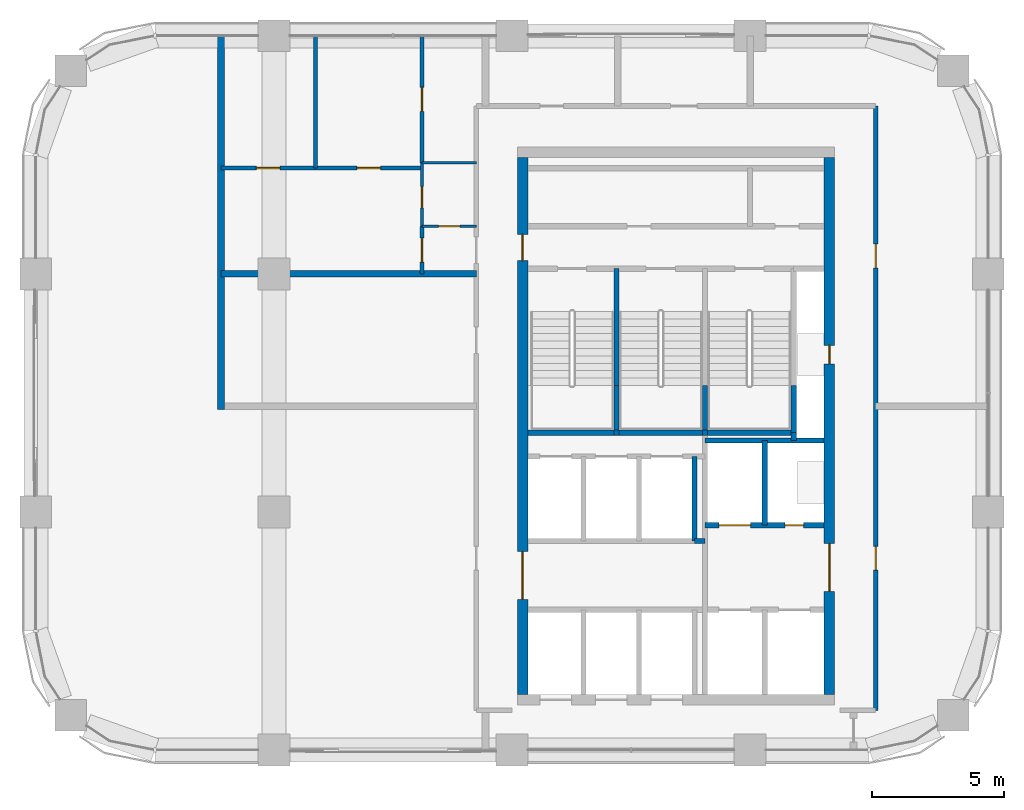
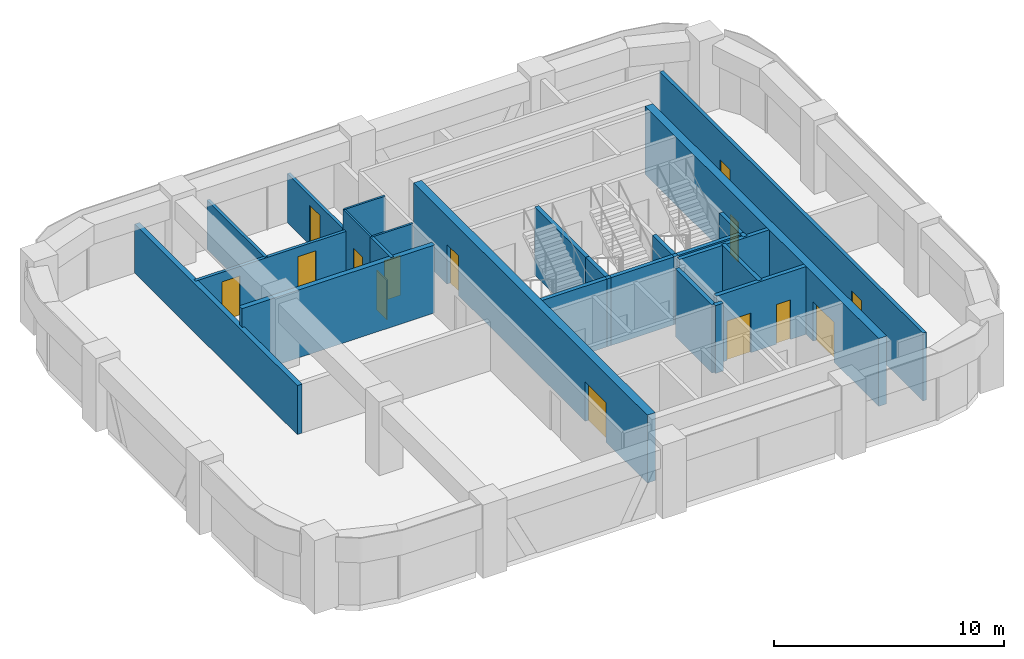
# One storey, part 8 of 10: 27 walls, 14 doors, 14 openings.
"""IFC4 building model written with IfcOpenShell, lengths in metres."""

from ifc_helpers import new_model, si_unit, direction, frame, frame_2d, origin, place, context, subcontext, project, spatial, rectangle, extrude, material, layer, layer_set, type_object, element, fill, save


model = new_model("IFC4")

# Units and contexts
model_context = context("Model", 3, precision=1e-05, world=origin(), true_north=direction((0.0, 1.0)))
body_context = subcontext(model_context, "Body", "Model", "MODEL_VIEW")
ifc_project = project(units=[si_unit("LENGTHUNIT", "METRE"), si_unit("AREAUNIT", "SQUARE_METRE"), si_unit("VOLUMEUNIT", "CUBIC_METRE"), si_unit("PLANEANGLEUNIT", "RADIAN"), si_unit("MASSUNIT", "GRAM", prefix="KILO")], contexts=[model_context])

# Site, building, storey
site_placement = place(None, origin())
site = spatial("IfcSite", under=ifc_project, at=site_placement, CompositionType="ELEMENT")
building_placement = place(site_placement, origin())
building = spatial("IfcBuilding", under=site, at=building_placement, Name="Tessera Arch", CompositionType="ELEMENT")
storey_placement = place(building_placement, frame((0.0, 0.0, 261.800048828125)))
storey = spatial("IfcBuildingStorey", under=building, at=storey_placement, Name="L63", CompositionType="ELEMENT", Elevation=261.800048828125)

# Wall
ifc_material_1 = material(Name="Gypsum board on steel stud", Category="steel")
ifc_layer_1 = layer(ifc_material_1, 0.125)
ifc_layer_set_1 = layer_set([ifc_layer_1], Name="Core partition 125 EI 60")
wall_type_1 = type_object("IfcWallType", Name="Core partition 125 EI 60", PredefinedType="PARTITIONING", material=ifc_layer_set_1)
wall_1_placement = place(storey_placement, frame((42.89990234375, 34.89990234375, 0.0), z_axis=(0.0, 0.0, 1.0), x_axis=(1.0, 0.0, 0.0)))
element("IfcWall", 1, at=wall_1_placement, inside=storey, type_object=wall_type_1, Name="L63 C1 partition wall 19", PredefinedType="PARTITIONING", context=body_context, shape_type="SweptSolid", body=[
    extrude(rectangle(XDim=0.400146484375, YDim=0.199951171875, at=frame_2d((0.2001953125, 0.0))), origin(), (0.0, 0.0, 1.0), 3.599853515625),
])

# Wall, openings, doors
ifc_material_2 = material(Name="Concrete C50/60", Category="concrete")
ifc_layer_2 = layer(ifc_material_2, 0.39990234375)
ifc_layer_set_2 = layer_set([ifc_layer_2], Name="Core shell wall 400 C50-60")
wall_type_2 = type_object("IfcWallType", Name="Core shell wall 400 C50-60", PredefinedType="SHEAR", material=ifc_layer_set_2)
wall_2_placement = place(storey_placement, frame((36.39990234375, 29.10009765625, 0.0), z_axis=(0.0, 0.0, 1.0), x_axis=(0.0, 1.0, 0.0)))
wall_2 = element("IfcWall", 2, at=wall_2_placement, inside=storey, type_object=wall_type_2, Name="L63 C1 core wall W", PredefinedType="SHEAR", context=body_context, shape_type="SweptSolid", body=[
    extrude(rectangle(XDim=20.2998046875, YDim=0.39990234375, at=frame_2d((10.14990234375, 0.0))), origin(), (0.0, 0.0, 1.0), 3.599853515625),
])
opening_1_placement = place(wall_2_placement, frame((3.60009765625, 0.0, 0.0)))
opening_1 = element("IfcOpeningElement", 3, at=opening_1_placement, cuts=wall_2, Name="Opening L63-C10", PredefinedType="OPENING", context=body_context, shape_type="SweptSolid", body=[
    extrude(rectangle(XDim=1.800048828125, YDim=2.10009765625, at=frame_2d((0.89990234375, 1.050048828125))), frame((0.0, 0.2099609375, 0.0), z_axis=(0.0, -1.0, 0.0), x_axis=(1.0, 0.0, 0.0)), (0.0, 0.0, 1.0), 0.419921875),
])
opening_2_placement = place(wall_2_placement, frame((16.39990234375, 0.0, 0.0)))
opening_2 = element("IfcOpeningElement", 4, at=opening_2_placement, cuts=wall_2, Name="Opening L63-C17", PredefinedType="OPENING", context=body_context, shape_type="SweptSolid", body=[
    extrude(rectangle(XDim=1.0, YDim=2.10009765625, at=frame_2d((0.5, 1.050048828125))), frame((0.0, 0.2099609375, 0.0), z_axis=(0.0, -1.0, 0.0), x_axis=(1.0, 0.0, 0.0)), (0.0, 0.0, 1.0), 0.419921875),
])
ifc_material_3 = material(Name="Steel door leaf", Category="steel")
door_type_1 = type_object("IfcDoorType", Name="Corridor door FD60 1000 x 2100", OperationType="SINGLE_SWING_LEFT", PredefinedType="DOOR", material=ifc_material_3)
door_1_placement = place(opening_2_placement, origin())
door_1 = element("IfcDoor", 5, at=door_1_placement, inside=storey, type_object=door_type_1, Name="L63 C1 door 17 C17 type D12", OperationType="SINGLE_SWING_RIGHT", OverallHeight=2.10009765625, OverallWidth=1.0, PredefinedType="DOOR", context=body_context, shape_type="SweptSolid", body=[
    extrude(rectangle(XDim=1.0, YDim=2.10009765625, at=frame_2d((0.5, 1.050048828125))), frame((0.0, 0.02490234375, 0.0), z_axis=(0.0, -1.0, 0.0), x_axis=(1.0, 0.0, 0.0)), (0.0, 0.0, 1.0), 0.050048828125),
])
fill(opening_2, door_1)
ifc_material_4 = material(Name="Glazed steel door leaf", Category="steel")
door_type_2 = type_object("IfcDoorType", Name="Lobby double door FD30S 1800 x 2100", OperationType="DOUBLE_DOOR_SINGLE_SWING", PredefinedType="DOOR", material=ifc_material_4)
door_2_placement = place(opening_1_placement, origin())
door_2 = element("IfcDoor", 6, at=door_2_placement, inside=storey, type_object=door_type_2, Name="L63 C1 door 10 C10 type D06", OperationType="DOUBLE_DOOR_SINGLE_SWING", OverallHeight=2.10009765625, OverallWidth=1.800048828125, PredefinedType="DOOR", context=body_context, shape_type="SweptSolid", body=[
    extrude(rectangle(XDim=1.800048828125, YDim=2.10009765625, at=frame_2d((0.89990234375, 1.050048828125))), frame((0.0, 0.02490234375, 0.0), z_axis=(0.0, -1.0, 0.0), x_axis=(1.0, 0.0, 0.0)), (0.0, 0.0, 1.0), 0.050048828125),
])
fill(opening_1, door_2)

wall_3_placement = place(storey_placement, frame((48.0, 29.10009765625, 0.0), z_axis=(0.0, 0.0, 1.0), x_axis=(0.0, 1.0, 0.0)))
wall_3 = element("IfcWall", 7, at=wall_3_placement, inside=storey, type_object=wall_type_2, Name="L63 C1 core wall E", PredefinedType="SHEAR", context=body_context, shape_type="SweptSolid", body=[
    extrude(rectangle(XDim=20.2998046875, YDim=0.39990234375, at=frame_2d((10.14990234375, 0.0))), origin(), (0.0, 0.0, 1.0), 3.599853515625),
])
opening_3_placement = place(wall_3_placement, frame((12.5, 0.0, 0.0)))
opening_3 = element("IfcOpeningElement", 8, at=opening_3_placement, cuts=wall_3, Name="Opening L63-C14", PredefinedType="OPENING", context=body_context, shape_type="SweptSolid", body=[
    extrude(rectangle(XDim=0.699951171875, YDim=2.10009765625, at=frame_2d((0.35009765625, 1.050048828125))), frame((0.0, 0.2099609375, 0.0), z_axis=(0.0, -1.0, 0.0), x_axis=(1.0, 0.0, 0.0)), (0.0, 0.0, 1.0), 0.419921875),
])
opening_4_placement = place(wall_3_placement, frame((3.89990234375, 0.0, 0.0)))
opening_4 = element("IfcOpeningElement", 9, at=opening_4_placement, cuts=wall_3, Name="Opening L63-C15", PredefinedType="OPENING", context=body_context, shape_type="SweptSolid", body=[
    extrude(rectangle(XDim=1.800048828125, YDim=2.10009765625, at=frame_2d((0.89990234375, 1.050048828125))), frame((0.0, 0.2099609375, 0.0), z_axis=(0.0, -1.0, 0.0), x_axis=(1.0, 0.0, 0.0)), (0.0, 0.0, 1.0), 0.419921875),
])
ifc_material_5 = material(Name="Glazed steel door leaf", Category="steel")
door_type_3 = type_object("IfcDoorType", Name="Lobby double door FD60 1800 x 2100", OperationType="DOUBLE_DOOR_SINGLE_SWING", PredefinedType="DOOR", material=ifc_material_5)
door_3_placement = place(opening_4_placement, origin())
door_3 = element("IfcDoor", 10, at=door_3_placement, inside=storey, type_object=door_type_3, Name="L63 C1 door 15 C15 type D19", OperationType="DOUBLE_DOOR_SINGLE_SWING", OverallHeight=2.10009765625, OverallWidth=1.800048828125, PredefinedType="DOOR", context=body_context, shape_type="SweptSolid", body=[
    extrude(rectangle(XDim=1.800048828125, YDim=2.10009765625, at=frame_2d((0.89990234375, 1.050048828125))), frame((0.0, 0.02490234375, 0.0), z_axis=(0.0, -1.0, 0.0), x_axis=(1.0, 0.0, 0.0)), (0.0, 0.0, 1.0), 0.050048828125),
])
fill(opening_4, door_3)
ifc_material_6 = material(Name="Steel door leaf", Category="steel")
door_type_4 = type_object("IfcDoorType", Name="Service shaft door FD60 700 x 2100", OperationType="SINGLE_SWING_LEFT", PredefinedType="DOOR", material=ifc_material_6)
door_4_placement = place(opening_3_placement, origin())
door_4 = element("IfcDoor", 11, at=door_4_placement, inside=storey, type_object=door_type_4, Name="L63 C1 door 14 C14 type D07", OperationType="SINGLE_SWING_RIGHT", OverallHeight=2.10009765625, OverallWidth=0.699951171875, PredefinedType="DOOR", context=body_context, shape_type="SweptSolid", body=[
    extrude(rectangle(XDim=0.699951171875, YDim=2.10009765625, at=frame_2d((0.35009765625, 1.050048828125))), frame((0.0, 0.02490234375, 0.0), z_axis=(0.0, -1.0, 0.0), x_axis=(1.0, 0.0, 0.0)), (0.0, 0.0, 1.0), 0.050048828125),
])
fill(opening_3, door_4)

ifc_material_7 = material(Name="Gypsum board on deep steel stud with mineral wool", Category="steel")
ifc_layer_3 = layer(ifc_material_7, 0.175048828125)
ifc_layer_set_3 = layer_set([ifc_layer_3], Name="Corridor wall 175 EI 60")
wall_type_3 = type_object("IfcWallType", Name="Corridor wall 175 EI 60", PredefinedType="PARTITIONING", material=ifc_layer_set_3)
wall_4_placement = place(storey_placement, frame((49.75, 28.5, 0.0), z_axis=(0.0, 0.0, 1.0), x_axis=(0.0, 1.0, 0.0)))
wall_4 = element("IfcWall", 12, at=wall_4_placement, inside=storey, type_object=wall_type_3, Name="L63 partition 5", PredefinedType="PARTITIONING", context=body_context, shape_type="SweptSolid", body=[
    extrude(rectangle(XDim=22.85009765625, YDim=0.175048828125, at=frame_2d((11.425048828125, 0.0))), origin(), (0.0, 0.0, 1.0), 3.599853515625),
])
opening_5_placement = place(wall_4_placement, frame((5.300048828125, 0.0, 0.0)))
opening_5 = element("IfcOpeningElement", 13, at=opening_5_placement, cuts=wall_4, Name="Opening L63-D001", PredefinedType="OPENING", context=body_context, shape_type="SweptSolid", body=[
    extrude(rectangle(XDim=0.89990234375, YDim=2.10009765625, at=frame_2d((0.449951171875, 1.050048828125))), frame((0.0, 0.097412109375, 0.0), z_axis=(0.0, -1.0, 0.0), x_axis=(1.0, 0.0, 0.0)), (0.0, 0.0, 1.0), 0.195068359375),
])
opening_6_placement = place(wall_4_placement, frame((16.72509765625, 0.0, 0.0)))
opening_6 = element("IfcOpeningElement", 14, at=opening_6_placement, cuts=wall_4, Name="Opening L63-D004", PredefinedType="OPENING", context=body_context, shape_type="SweptSolid", body=[
    extrude(rectangle(XDim=0.89990234375, YDim=2.10009765625, at=frame_2d((0.449951171875, 1.050048828125))), frame((0.0, 0.097412109375, 0.0), z_axis=(0.0, -1.0, 0.0), x_axis=(1.0, 0.0, 0.0)), (0.0, 0.0, 1.0), 0.195068359375),
])
ifc_material_8 = material(Name="Timber door leaf", Category="wood")
door_type_5 = type_object("IfcDoorType", Name="Room door 900 x 2100", OperationType="SINGLE_SWING_LEFT", PredefinedType="DOOR", material=ifc_material_8)
door_5_placement = place(opening_5_placement, origin())
door_5 = element("IfcDoor", 15, at=door_5_placement, inside=storey, type_object=door_type_5, Name="L63 door D001 type D01", OperationType="SINGLE_SWING_LEFT", OverallHeight=2.10009765625, OverallWidth=0.89990234375, PredefinedType="DOOR", context=body_context, shape_type="SweptSolid", body=[
    extrude(rectangle(XDim=0.89990234375, YDim=2.10009765625, at=frame_2d((0.449951171875, 1.050048828125))), frame((0.0, 0.02490234375, 0.0), z_axis=(0.0, -1.0, 0.0), x_axis=(1.0, 0.0, 0.0)), (0.0, 0.0, 1.0), 0.050048828125),
])
fill(opening_5, door_5)
door_6_placement = place(opening_6_placement, origin())
door_6 = element("IfcDoor", 16, at=door_6_placement, inside=storey, type_object=door_type_5, Name="L63 door D004 type D01", OperationType="SINGLE_SWING_RIGHT", OverallHeight=2.10009765625, OverallWidth=0.89990234375, PredefinedType="DOOR", context=body_context, shape_type="SweptSolid", body=[
    extrude(rectangle(XDim=0.89990234375, YDim=2.10009765625, at=frame_2d((0.449951171875, 1.050048828125))), frame((0.0, 0.02490234375, 0.0), z_axis=(0.0, -1.0, 0.0), x_axis=(1.0, 0.0, 0.0)), (0.0, 0.0, 1.0), 0.050048828125),
])
fill(opening_6, door_6)

ifc_material_9 = material(Name="Gypsum board on steel stud", Category="steel")
ifc_layer_4 = layer(ifc_material_9, 0.14990234375)
ifc_layer_set_4 = layer_set([ifc_layer_4], Name="Partition 150")
wall_type_4 = type_object("IfcWallType", Name="Partition 150", PredefinedType="PARTITIONING", material=ifc_layer_set_4)
wall_5_placement = place(storey_placement, frame((25.0, 49.0, 0.0), z_axis=(0.0, 0.0, 1.0), x_axis=(1.0, 0.0, 0.0)))
wall_5 = element("IfcWall", 17, at=wall_5_placement, inside=storey, type_object=wall_type_4, Name="L63 partition 6", PredefinedType="PARTITIONING", context=body_context, shape_type="SweptSolid", body=[
    extrude(rectangle(XDim=7.60009765625, YDim=0.14990234375, at=frame_2d((3.800048828125, 0.0))), origin(), (0.0, 0.0, 1.0), 2.599853515625),
])
opening_7_placement = place(wall_5_placement, frame((5.135986328125, 0.0, 0.0)))
opening_7 = element("IfcOpeningElement", 18, at=opening_7_placement, cuts=wall_5, Name="Opening L63-D010", PredefinedType="OPENING", context=body_context, shape_type="SweptSolid", body=[
    extrude(rectangle(XDim=0.89990234375, YDim=2.10009765625, at=frame_2d((0.449951171875, 1.050048828125))), frame((0.0, 0.0849609375, 0.0), z_axis=(0.0, -1.0, 0.0), x_axis=(1.0, 0.0, 0.0)), (0.0, 0.0, 1.0), 0.169921875),
])
opening_8_placement = place(wall_5_placement, frame((1.3359375, 0.0, 0.0)))
opening_8 = element("IfcOpeningElement", 19, at=opening_8_placement, cuts=wall_5, Name="Opening L63-D011", PredefinedType="OPENING", context=body_context, shape_type="SweptSolid", body=[
    extrude(rectangle(XDim=0.89990234375, YDim=2.10009765625, at=frame_2d((0.449951171875, 1.050048828125))), frame((0.0, 0.0849609375, 0.0), z_axis=(0.0, -1.0, 0.0), x_axis=(1.0, 0.0, 0.0)), (0.0, 0.0, 1.0), 0.169921875),
])
door_7_placement = place(opening_7_placement, origin())
door_7 = element("IfcDoor", 20, at=door_7_placement, inside=storey, type_object=door_type_5, Name="L63 door D010 type D01", OperationType="SINGLE_SWING_RIGHT", OverallHeight=2.10009765625, OverallWidth=0.89990234375, PredefinedType="DOOR", context=body_context, shape_type="SweptSolid", body=[
    extrude(rectangle(XDim=0.89990234375, YDim=2.10009765625, at=frame_2d((0.449951171875, 1.050048828125))), frame((0.0, 0.02490234375, 0.0), z_axis=(0.0, -1.0, 0.0), x_axis=(1.0, 0.0, 0.0)), (0.0, 0.0, 1.0), 0.050048828125),
])
fill(opening_7, door_7)
door_8_placement = place(opening_8_placement, origin())
door_8 = element("IfcDoor", 21, at=door_8_placement, inside=storey, type_object=door_type_5, Name="L63 door D011 type D01", OperationType="SINGLE_SWING_RIGHT", OverallHeight=2.10009765625, OverallWidth=0.89990234375, PredefinedType="DOOR", context=body_context, shape_type="SweptSolid", body=[
    extrude(rectangle(XDim=0.89990234375, YDim=2.10009765625, at=frame_2d((0.449951171875, 1.050048828125))), frame((0.0, 0.02490234375, 0.0), z_axis=(0.0, -1.0, 0.0), x_axis=(1.0, 0.0, 0.0)), (0.0, 0.0, 1.0), 0.050048828125),
])
fill(opening_8, door_8)

# Wall
wall_6_placement = place(storey_placement, frame((28.572021484375, 49.0, 0.0), z_axis=(0.0, 0.0, 1.0), x_axis=(0.0, 1.0, 0.0)))
element("IfcWall", 22, at=wall_6_placement, inside=storey, type_object=wall_type_4, Name="L63 partition 7", PredefinedType="PARTITIONING", context=body_context, shape_type="SweptSolid", body=[
    extrude(rectangle(XDim=5.0, YDim=0.14990234375, at=frame_2d((2.5, 0.0))), origin(), (0.0, 0.0, 1.0), 2.599853515625),
])

# Wall, opening, door
wall_7_placement = place(storey_placement, frame((32.60009765625, 45.0, 0.0), z_axis=(0.0, 0.0, 1.0), x_axis=(0.0, 1.0, 0.0)))
wall_7 = element("IfcWall", 23, at=wall_7_placement, inside=storey, type_object=wall_type_4, Name="L63 partition 8", PredefinedType="PARTITIONING", context=body_context, shape_type="SweptSolid", body=[
    extrude(rectangle(XDim=1.800048828125, YDim=0.14990234375, at=frame_2d((0.89990234375, 0.0))), origin(), (0.0, 0.0, 1.0), 3.599853515625),
])
opening_9_placement = place(wall_7_placement, frame((0.449951171875, 0.0, 0.0)))
opening_9 = element("IfcOpeningElement", 24, at=opening_9_placement, cuts=wall_7, Name="Opening L63-D006", PredefinedType="OPENING", context=body_context, shape_type="SweptSolid", body=[
    extrude(rectangle(XDim=0.89990234375, YDim=2.10009765625, at=frame_2d((0.449951171875, 1.050048828125))), frame((0.0, 0.0849609375, 0.0), z_axis=(0.0, -1.0, 0.0), x_axis=(1.0, 0.0, 0.0)), (0.0, 0.0, 1.0), 0.169921875),
])
door_9_placement = place(opening_9_placement, origin())
door_9 = element("IfcDoor", 25, at=door_9_placement, inside=storey, type_object=door_type_5, Name="L63 door D006 type D01", OperationType="SINGLE_SWING_LEFT", OverallHeight=2.10009765625, OverallWidth=0.89990234375, PredefinedType="DOOR", context=body_context, shape_type="SweptSolid", body=[
    extrude(rectangle(XDim=0.89990234375, YDim=2.10009765625, at=frame_2d((0.449951171875, 1.050048828125))), frame((0.0, 0.02490234375, 0.0), z_axis=(0.0, -1.0, 0.0), x_axis=(1.0, 0.0, 0.0)), (0.0, 0.0, 1.0), 0.050048828125),
])
fill(opening_9, door_9)

wall_8_placement = place(storey_placement, frame((32.60009765625, 49.199951171875, 0.0), z_axis=(0.0, 0.0, 1.0), x_axis=(0.0, 1.0, 0.0)))
wall_8 = element("IfcWall", 26, at=wall_8_placement, inside=storey, type_object=wall_type_4, Name="L63 partition 9", PredefinedType="PARTITIONING", context=body_context, shape_type="SweptSolid", body=[
    extrude(rectangle(XDim=4.800048828125, YDim=0.14990234375, at=frame_2d((2.39990234375, 0.0))), origin(), (0.0, 0.0, 1.0), 2.599853515625),
])
opening_10_placement = place(wall_8_placement, frame((1.949951171875, 0.0, 0.0)))
opening_10 = element("IfcOpeningElement", 27, at=opening_10_placement, cuts=wall_8, Name="Opening L63-D009", PredefinedType="OPENING", context=body_context, shape_type="SweptSolid", body=[
    extrude(rectangle(XDim=0.89990234375, YDim=2.10009765625, at=frame_2d((0.449951171875, 1.050048828125))), frame((0.0, 0.0849609375, 0.0), z_axis=(0.0, -1.0, 0.0), x_axis=(1.0, 0.0, 0.0)), (0.0, 0.0, 1.0), 0.169921875),
])
door_10_placement = place(opening_10_placement, origin())
door_10 = element("IfcDoor", 28, at=door_10_placement, inside=storey, type_object=door_type_5, Name="L63 door D009 type D01", OperationType="SINGLE_SWING_LEFT", OverallHeight=2.10009765625, OverallWidth=0.89990234375, PredefinedType="DOOR", context=body_context, shape_type="SweptSolid", body=[
    extrude(rectangle(XDim=0.89990234375, YDim=2.10009765625, at=frame_2d((0.449951171875, 1.050048828125))), frame((0.0, 0.02490234375, 0.0), z_axis=(0.0, -1.0, 0.0), x_axis=(1.0, 0.0, 0.0)), (0.0, 0.0, 1.0), 0.050048828125),
])
fill(opening_10, door_10)

# Walls
ifc_material_10 = material(Name="Double gypsum board on twin steel stud with acoustic mineral wool", Category="steel")
ifc_layer_5 = layer(ifc_material_10, 0.25)
ifc_layer_set_5 = layer_set([ifc_layer_5], Name="Party wall 250 EI 60")
wall_type_5 = type_object("IfcWallType", Name="Party wall 250 EI 60", PredefinedType="PARTITIONING", material=ifc_layer_set_5)
wall_9_placement = place(storey_placement, frame((25.0, 45.0, 0.0), z_axis=(0.0, 0.0, 1.0), x_axis=(1.0, 0.0, 0.0)))
element("IfcWall", 29, at=wall_9_placement, inside=storey, type_object=wall_type_5, Name="L63 partition 12", PredefinedType="PARTITIONING", context=body_context, shape_type="SweptSolid", body=[
    extrude(rectangle(XDim=9.64990234375, YDim=0.25, at=frame_2d((4.824951171875, 0.0))), origin(), (0.0, 0.0, 1.0), 3.599853515625),
])
wall_10_placement = place(storey_placement, frame((25.0, 39.875, 0.0), z_axis=(0.0, 0.0, 1.0), x_axis=(0.0, 1.0, 0.0)))
element("IfcWall", 30, at=wall_10_placement, inside=storey, type_object=wall_type_5, Name="L63 partition 13", PredefinedType="PARTITIONING", context=body_context, shape_type="SweptSolid", body=[
    extrude(rectangle(XDim=14.125, YDim=0.25, at=frame_2d((7.0625, 0.0))), origin(), (0.0, 0.0, 1.0), 2.599853515625),
])
ifc_material_11 = material(Name="Concrete C40/50", Category="concrete")
ifc_layer_6 = layer(ifc_material_11, 0.199951171875)
ifc_layer_set_6 = layer_set([ifc_layer_6], Name="Shaft wall 200 EI 120")
wall_type_6 = type_object("IfcWallType", Name="Shaft wall 200 EI 120", PredefinedType="SOLIDWALL", material=ifc_layer_set_6)
wall_11_placement = place(storey_placement, frame((42.89990234375, 34.89990234375, 0.0), z_axis=(0.0, 0.0, 1.0), x_axis=(0.0, 1.0, 0.0)))
element("IfcWall", 31, at=wall_11_placement, inside=storey, type_object=wall_type_6, Name="L63 C1 shaft wall 8", PredefinedType="SOLIDWALL", context=body_context, shape_type="SweptSolid", body=[
    extrude(rectangle(XDim=3.2001953125, YDim=0.199951171875, at=frame_2d((1.60009765625, 0.0))), origin(), (0.0, 0.0, 1.0), 3.599853515625),
])
wall_12_placement = place(storey_placement, frame((45.550048828125, 35.5, 0.0), z_axis=(0.0, 0.0, 1.0), x_axis=(0.0, 1.0, 0.0)))
element("IfcWall", 32, at=wall_12_placement, inside=storey, type_object=wall_type_6, Name="L63 C1 shaft wall 14", PredefinedType="SOLIDWALL", context=body_context, shape_type="SweptSolid", body=[
    extrude(rectangle(XDim=3.199951171875, YDim=0.199951171875, at=frame_2d((1.60009765625, 0.0))), origin(), (0.0, 0.0, 1.0), 3.599853515625),
])
wall_13_placement = place(storey_placement, frame((46.64990234375, 38.699951171875, 0.0), z_axis=(0.0, 0.0, 1.0), x_axis=(0.0, 1.0, 0.0)))
element("IfcWall", 33, at=wall_13_placement, inside=storey, type_object=wall_type_6, Name="L63 C1 shaft wall 15", PredefinedType="SOLIDWALL", context=body_context, shape_type="SweptSolid", body=[
    extrude(rectangle(XDim=0.300048828125, YDim=0.199951171875, at=frame_2d((0.14990234375, 0.0))), origin(), (0.0, 0.0, 1.0), 3.599853515625),
])

# Wall, openings, doors
wall_14_placement = place(storey_placement, frame((43.300048828125, 35.5, 0.0), z_axis=(0.0, 0.0, 1.0), x_axis=(1.0, 0.0, 0.0)))
wall_14 = element("IfcWall", 34, at=wall_14_placement, inside=storey, type_object=wall_type_6, Name="L63 C1 shaft wall 21", PredefinedType="SOLIDWALL", context=body_context, shape_type="SweptSolid", body=[
    extrude(rectangle(XDim=4.5, YDim=0.199951171875, at=frame_2d((2.25, 0.0))), origin(), (0.0, 0.0, 1.0), 3.599853515625),
])
opening_11_placement = place(wall_14_placement, frame((0.52490234375, 0.0, 0.0)))
opening_11 = element("IfcOpeningElement", 35, at=opening_11_placement, cuts=wall_14, Name="Opening L63-C09", PredefinedType="OPENING", context=body_context, shape_type="SweptSolid", body=[
    extrude(rectangle(XDim=1.199951171875, YDim=2.10009765625, at=frame_2d((0.60009765625, 1.050048828125))), frame((0.0, 0.10986328125, 0.0), z_axis=(0.0, -1.0, 0.0), x_axis=(1.0, 0.0, 0.0)), (0.0, 0.0, 1.0), 0.219970703125),
])
opening_12_placement = place(wall_14_placement, frame((3.02490234375, 0.0, 0.0)))
opening_12 = element("IfcOpeningElement", 36, at=opening_12_placement, cuts=wall_14, Name="Opening L63-C16", PredefinedType="OPENING", context=body_context, shape_type="SweptSolid", body=[
    extrude(rectangle(XDim=0.699951171875, YDim=2.10009765625, at=frame_2d((0.35009765625, 1.050048828125))), frame((0.0, 0.10986328125, 0.0), z_axis=(0.0, -1.0, 0.0), x_axis=(1.0, 0.0, 0.0)), (0.0, 0.0, 1.0), 0.219970703125),
])
door_11_placement = place(opening_12_placement, origin())
door_11 = element("IfcDoor", 37, at=door_11_placement, inside=storey, type_object=door_type_4, Name="L63 C1 door 16 C16 type D07", OperationType="SINGLE_SWING_RIGHT", OverallHeight=2.10009765625, OverallWidth=0.699951171875, PredefinedType="DOOR", context=body_context, shape_type="SweptSolid", body=[
    extrude(rectangle(XDim=0.699951171875, YDim=2.10009765625, at=frame_2d((0.35009765625, 1.050048828125))), frame((0.0, 0.02490234375, 0.0), z_axis=(0.0, -1.0, 0.0), x_axis=(1.0, 0.0, 0.0)), (0.0, 0.0, 1.0), 0.050048828125),
])
fill(opening_12, door_11)
ifc_material_12 = material(Name="Stainless steel AISI 304", Category="steel")
door_type_6 = type_object("IfcDoorType", Name="Sliding landing door 1200 x 2100", OperationType="SLIDING_TO_LEFT", PredefinedType="DOOR", material=ifc_material_12)
door_12_placement = place(opening_11_placement, origin())
door_12 = element("IfcDoor", 38, at=door_12_placement, inside=storey, type_object=door_type_6, Name="L63 SV2 lift landing door C09 type LD", OperationType="SLIDING_TO_LEFT", OverallHeight=2.10009765625, OverallWidth=1.199951171875, PredefinedType="DOOR", context=body_context, shape_type="SweptSolid", body=[
    extrude(rectangle(XDim=1.199951171875, YDim=2.10009765625, at=frame_2d((0.60009765625, 1.050048828125))), frame((0.0, 0.02490234375, 0.0), z_axis=(0.0, -1.0, 0.0), x_axis=(1.0, 0.0, 0.0)), (0.0, 0.0, 1.0), 0.050048828125),
])
fill(opening_11, door_12)

# Walls
wall_15_placement = place(storey_placement, frame((43.300048828125, 38.699951171875, 0.0), z_axis=(0.0, 0.0, 1.0), x_axis=(1.0, 0.0, 0.0)))
element("IfcWall", 39, at=wall_15_placement, inside=storey, type_object=wall_type_6, Name="L63 C1 shaft wall 23", PredefinedType="SOLIDWALL", context=body_context, shape_type="SweptSolid", body=[
    extrude(rectangle(XDim=4.5, YDim=0.199951171875, at=frame_2d((2.25, 0.0))), origin(), (0.0, 0.0, 1.0), 3.599853515625),
])
ifc_material_13 = material(Name="Concrete C40/50", Category="concrete")
ifc_layer_7 = layer(ifc_material_13, 0.199951171875)
ifc_layer_set_7 = layer_set([ifc_layer_7], Name="Stair well wall 200 REI 180")
wall_type_7 = type_object("IfcWallType", Name="Stair well wall 200 REI 180", PredefinedType="SOLIDWALL", material=ifc_layer_set_7)
wall_16_placement = place(storey_placement, frame((39.949951171875, 39.0, 0.0), z_axis=(0.0, 0.0, 1.0), x_axis=(0.0, 1.0, 0.0)))
element("IfcWall", 40, at=wall_16_placement, inside=storey, type_object=wall_type_7, Name="L63 C1 shaft wall 3", PredefinedType="SOLIDWALL", context=body_context, shape_type="SweptSolid", body=[
    extrude(rectangle(XDim=1.780029296875, YDim=0.199951171875, at=frame_2d((0.89013671875, 0.0))), origin(), (0.0, 0.0, 1.0), 3.599853515625),
])
wall_17_placement = place(storey_placement, frame((39.949951171875, 40.780029296875, 0.0), z_axis=(0.0, 0.0, 1.0), x_axis=(0.0, 1.0, 0.0)))
element("IfcWall", 41, at=wall_17_placement, inside=storey, type_object=wall_type_7, Name="L63 C1 shaft wall 4", PredefinedType="SOLIDWALL", context=body_context, shape_type="SweptSolid", body=[
    extrude(rectangle(XDim=4.419921875, YDim=0.199951171875, at=frame_2d((2.2099609375, 0.0))), origin(), (0.0, 0.0, 1.0), 3.599853515625),
])
for number, where, z_axis, x_axis, name in (
    (42, (43.300048828125, 39.0, 0.0), (0.0, 0.0, 1.0), (0.0, 1.0, 0.0), "L63 C1 shaft wall 10"),
    (43, (46.64990234375, 39.0, 0.0), (0.0, 0.0, 1.0), (0.0, 1.0, 0.0), "L63 C1 shaft wall 16"),
):
    element("IfcWall", number, at=place(storey_placement, frame(where, z_axis=z_axis, x_axis=x_axis)), inside=storey, type_object=wall_type_7, Name=name, PredefinedType="SOLIDWALL", context=body_context, shape_type="SweptSolid", body=[
        extrude(rectangle(XDim=1.780029296875, YDim=0.199951171875, at=frame_2d((0.89013671875, 0.0))), origin(), (0.0, 0.0, 1.0), 3.599853515625),
    ])
wall_18_placement = place(storey_placement, frame((36.60009765625, 39.0, 0.0), z_axis=(0.0, 0.0, 1.0), x_axis=(1.0, 0.0, 0.0)))
element("IfcWall", 44, at=wall_18_placement, inside=storey, type_object=wall_type_7, Name="L63 C1 shaft wall 24", PredefinedType="SOLIDWALL", context=body_context, shape_type="SweptSolid", body=[
    extrude(rectangle(XDim=3.25, YDim=0.199951171875, at=frame_2d((1.625, 0.0))), origin(), (0.0, 0.0, 1.0), 3.599853515625),
])
wall_19_placement = place(storey_placement, frame((39.85009765625, 39.0, 0.0), z_axis=(0.0, 0.0, 1.0), x_axis=(1.0, 0.0, 0.0)))
element("IfcWall", 45, at=wall_19_placement, inside=storey, type_object=wall_type_7, Name="L63 C1 shaft wall 25", PredefinedType="SOLIDWALL", context=body_context, shape_type="SweptSolid", body=[
    extrude(rectangle(XDim=0.199951171875, YDim=0.199951171875, at=frame_2d((0.10009765625, 0.0))), origin(), (0.0, 0.0, 1.0), 3.599853515625),
])
wall_20_placement = place(storey_placement, frame((40.050048828125, 39.0, 0.0), z_axis=(0.0, 0.0, 1.0), x_axis=(1.0, 0.0, 0.0)))
element("IfcWall", 46, at=wall_20_placement, inside=storey, type_object=wall_type_7, Name="L63 C1 shaft wall 26", PredefinedType="SOLIDWALL", context=body_context, shape_type="SweptSolid", body=[
    extrude(rectangle(XDim=3.14990234375, YDim=0.199951171875, at=frame_2d((1.574951171875, 0.0))), origin(), (0.0, 0.0, 1.0), 3.599853515625),
])
wall_21_placement = place(storey_placement, frame((43.199951171875, 39.0, 0.0), z_axis=(0.0, 0.0, 1.0), x_axis=(1.0, 0.0, 0.0)))
element("IfcWall", 47, at=wall_21_placement, inside=storey, type_object=wall_type_7, Name="L63 C1 shaft wall 27", PredefinedType="SOLIDWALL", context=body_context, shape_type="SweptSolid", body=[
    extrude(rectangle(XDim=0.199951171875, YDim=0.199951171875, at=frame_2d((0.10009765625, 0.0))), origin(), (0.0, 0.0, 1.0), 3.599853515625),
])
wall_22_placement = place(storey_placement, frame((43.39990234375, 39.0, 0.0), z_axis=(0.0, 0.0, 1.0), x_axis=(1.0, 0.0, 0.0)))
element("IfcWall", 48, at=wall_22_placement, inside=storey, type_object=wall_type_7, Name="L63 C1 shaft wall 28", PredefinedType="SOLIDWALL", context=body_context, shape_type="SweptSolid", body=[
    extrude(rectangle(XDim=3.25, YDim=0.199951171875, at=frame_2d((1.625, 0.0))), origin(), (0.0, 0.0, 1.0), 3.599853515625),
])

# Wall, opening, door
ifc_material_14 = material(Name="Moisture-resistant board on pre-plumbed steel stud", Category="steel")
ifc_layer_8 = layer(ifc_material_14, 0.10009765625)
ifc_layer_set_8 = layer_set([ifc_layer_8], Name="Wet wall 100")
wall_type_8 = type_object("IfcWallType", Name="Wet wall 100", PredefinedType="PARTITIONING", material=ifc_layer_set_8)
wall_23_placement = place(storey_placement, frame((32.60009765625, 46.800048828125, 0.0), z_axis=(0.0, 0.0, 1.0), x_axis=(1.0, 0.0, 0.0)))
wall_23 = element("IfcWall", 49, at=wall_23_placement, inside=storey, type_object=wall_type_8, Name="L63 partition 19", PredefinedType="PARTITIONING", context=body_context, shape_type="SweptSolid", body=[
    extrude(rectangle(XDim=2.0498046875, YDim=0.10009765625, at=frame_2d((1.02490234375, 0.0))), origin(), (0.0, 0.0, 1.0), 3.599853515625),
])
opening_13_placement = place(wall_23_placement, frame((0.625, 0.0, 0.0)))
opening_13 = element("IfcOpeningElement", 50, at=opening_13_placement, cuts=wall_23, Name="Opening L63-D007", PredefinedType="OPENING", context=body_context, shape_type="SweptSolid", body=[
    extrude(rectangle(XDim=0.800048828125, YDim=2.10009765625, at=frame_2d((0.39990234375, 1.050048828125))), frame((0.0, 0.06005859375, 0.0), z_axis=(0.0, -1.0, 0.0), x_axis=(1.0, 0.0, 0.0)), (0.0, 0.0, 1.0), 0.1201171875),
])
ifc_material_15 = material(Name="Timber door leaf", Category="wood")
door_type_7 = type_object("IfcDoorType", Name="En-suite door 800 x 2100", OperationType="SINGLE_SWING_LEFT", PredefinedType="DOOR", material=ifc_material_15)
door_13_placement = place(opening_13_placement, origin())
door_13 = element("IfcDoor", 51, at=door_13_placement, inside=storey, type_object=door_type_7, Name="L63 door D007 type D02", OperationType="SINGLE_SWING_RIGHT", OverallHeight=2.10009765625, OverallWidth=0.800048828125, PredefinedType="DOOR", context=body_context, shape_type="SweptSolid", body=[
    extrude(rectangle(XDim=0.800048828125, YDim=2.10009765625, at=frame_2d((0.39990234375, 1.050048828125))), frame((0.0, 0.02490234375, 0.0), z_axis=(0.0, -1.0, 0.0), x_axis=(1.0, 0.0, 0.0)), (0.0, 0.0, 1.0), 0.050048828125),
])
fill(opening_13, door_13)

# Wall
wall_24_placement = place(storey_placement, frame((32.60009765625, 49.199951171875, 0.0), z_axis=(0.0, 0.0, 1.0), x_axis=(1.0, 0.0, 0.0)))
element("IfcWall", 52, at=wall_24_placement, inside=storey, type_object=wall_type_8, Name="L63 partition 20", PredefinedType="PARTITIONING", context=body_context, shape_type="SweptSolid", body=[
    extrude(rectangle(XDim=2.0498046875, YDim=0.10009765625, at=frame_2d((1.02490234375, 0.0))), origin(), (0.0, 0.0, 1.0), 3.599853515625),
])

# Wall, opening, door
wall_25_placement = place(storey_placement, frame((32.60009765625, 46.800048828125, 0.0), z_axis=(0.0, 0.0, 1.0), x_axis=(0.0, 1.0, 0.0)))
wall_25 = element("IfcWall", 53, at=wall_25_placement, inside=storey, type_object=wall_type_8, Name="L63 partition 21", PredefinedType="PARTITIONING", context=body_context, shape_type="SweptSolid", body=[
    extrude(rectangle(XDim=2.39990234375, YDim=0.10009765625, at=frame_2d((1.199951171875, 0.0))), origin(), (0.0, 0.0, 1.0), 3.599853515625),
])
opening_14_placement = place(wall_25_placement, frame((0.699951171875, 0.0, 0.0)))
opening_14 = element("IfcOpeningElement", 54, at=opening_14_placement, cuts=wall_25, Name="Opening L63-D008", PredefinedType="OPENING", context=body_context, shape_type="SweptSolid", body=[
    extrude(rectangle(XDim=0.800048828125, YDim=2.10009765625, at=frame_2d((0.39990234375, 1.050048828125))), frame((0.0, 0.06005859375, 0.0), z_axis=(0.0, -1.0, 0.0), x_axis=(1.0, 0.0, 0.0)), (0.0, 0.0, 1.0), 0.1201171875),
])
door_14_placement = place(opening_14_placement, origin())
door_14 = element("IfcDoor", 55, at=door_14_placement, inside=storey, type_object=door_type_7, Name="L63 door D008 type D02", OperationType="SINGLE_SWING_RIGHT", OverallHeight=2.10009765625, OverallWidth=0.800048828125, PredefinedType="DOOR", context=body_context, shape_type="SweptSolid", body=[
    extrude(rectangle(XDim=0.800048828125, YDim=2.10009765625, at=frame_2d((0.39990234375, 1.050048828125))), frame((0.0, 0.02490234375, 0.0), z_axis=(0.0, -1.0, 0.0), x_axis=(1.0, 0.0, 0.0)), (0.0, 0.0, 1.0), 0.050048828125),
])
fill(opening_14, door_14)

save(model, "model.ifc")
